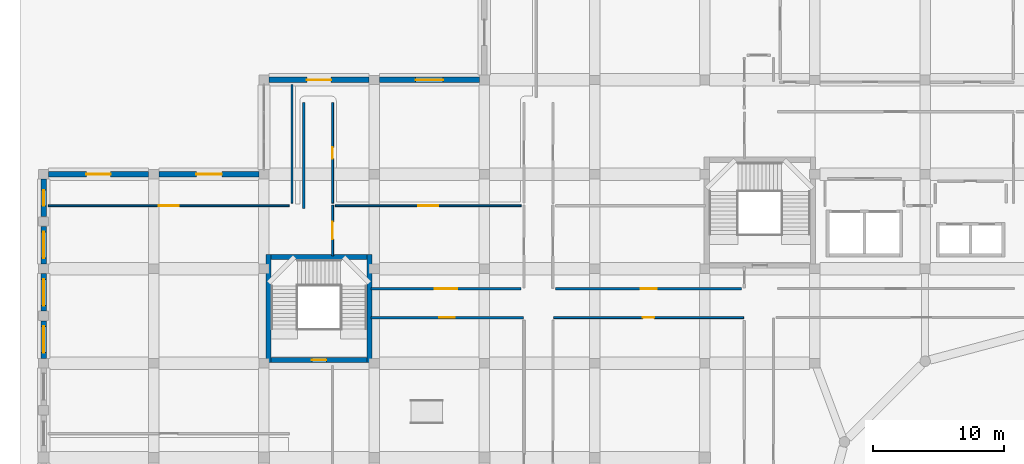
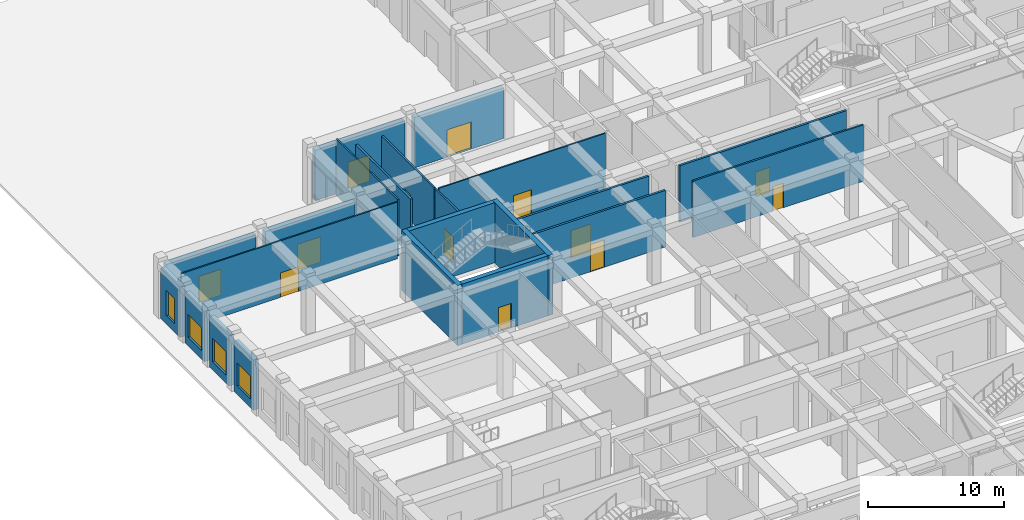
# One storey, part 70 of 84: 22 walls, 13 doors, 4 windows, 17 openings.
"""IFC4 building model written with IfcOpenShell, lengths in metres."""

from ifc_helpers import new_model, si_unit, derived_unit, direction, frame, frame_2d, origin, place, context, subcontext, project, spatial, rectangle, extrude, material, layer, layer_set, type_object, element, fill, save


model = new_model("IFC4")

# Units and contexts
model_context = context("Model", 3, precision=1e-05, world=origin(), true_north=direction((0.0, 1.0)))
body_context = subcontext(model_context, "Body", "Model", "MODEL_VIEW")
ifc_project = project(units=[si_unit("LENGTHUNIT", "METRE"), si_unit("AREAUNIT", "SQUARE_METRE"), si_unit("VOLUMEUNIT", "CUBIC_METRE"), si_unit("PLANEANGLEUNIT", "RADIAN"), si_unit("MASSUNIT", "GRAM", prefix="KILO"), derived_unit("THERMALTRANSMITTANCEUNIT", [(si_unit("POWERUNIT", "WATT"), 1), (si_unit("LENGTHUNIT", "METRE"), -2), (si_unit("THERMODYNAMICTEMPERATUREUNIT", "KELVIN"), -1)])], contexts=[model_context])

# Site, building, storey
site_placement = place(None, origin())
site = spatial("IfcSite", under=ifc_project, at=site_placement, CompositionType="ELEMENT")
building_placement = place(site_placement, origin())
building = spatial("IfcBuilding", under=site, at=building_placement, Name="Veybourne Emporium", CompositionType="ELEMENT")
storey_placement = place(building_placement, origin())
storey = spatial("IfcBuildingStorey", under=building, at=storey_placement, Name="L00", CompositionType="ELEMENT", Elevation=0.0)

# Wall, opening, window
ifc_material_1 = material(Name="Honed Black Granite Plinth", Category="masonry")
ifc_layer_1 = layer(ifc_material_1, 0.419921875)
ifc_layer_set_1 = layer_set([ifc_layer_1], Name="Honed Black Granite Plinth")
wall_type_1 = type_object("IfcWallType", Name="ExtWall_EW-02", PredefinedType="SOLIDWALL", material=ifc_layer_set_1)
wall_1_placement = place(storey_placement, frame((0.0, 65.175048828125, 0.0), z_axis=(0.0, 0.0, 1.0), x_axis=(0.0, 1.0, 0.0)))
wall_1 = element("IfcWall", 1, at=wall_1_placement, inside=storey, type_object=wall_type_1, Name="L00 Portland stone external wall 009A", PredefinedType="SOLIDWALL", context=body_context, shape_type="SweptSolid", body=[
    extrude(rectangle(XDim=2.85498046875, YDim=0.419921875, at=frame_2d((1.427490234375, 0.0))), origin(), (0.0, 0.0, 1.0), 4.530029296875),
])
opening_1_placement = place(wall_1_placement, frame((0.427490234375, 0.0, 0.75)))
opening_1 = element("IfcOpeningElement", 2, at=opening_1_placement, cuts=wall_1, Name="Opening W-14", PredefinedType="OPENING", context=body_context, shape_type="SweptSolid", body=[
    extrude(rectangle(XDim=2.0, YDim=2.080078125, at=frame_2d((1.0, 1.0400390625))), frame((0.0, 0.22998046875, 0.0), z_axis=(0.0, -1.0, 0.0), x_axis=(1.0, 0.0, 0.0)), (0.0, 0.0, 1.0), 0.4599609375),
])
ifc_material_2 = material(Name="Low-E Triple Glazing", Category="glass")
window_type_1 = type_object("IfcWindowType", Name="Win_W-14", PartitioningType="TRIPLE_PANEL_VERTICAL", PredefinedType="WINDOW", material=ifc_material_2)
window_1_placement = place(opening_1_placement, origin())
window_1 = element("IfcWindow", 3, at=window_1_placement, inside=storey, type_object=window_type_1, Name="L00 tripartite bronze casement window W-14 (9A)", OverallHeight=2.080078125, OverallWidth=2.0, PartitioningType="TRIPLE_PANEL_VERTICAL", PredefinedType="WINDOW", context=body_context, shape_type="SweptSolid", body=[
    extrude(rectangle(XDim=2.0, YDim=2.080078125, at=frame_2d((1.0, 1.0400390625))), frame((0.0, 0.030029296875, 0.0), z_axis=(0.0, -1.0, 0.0), x_axis=(1.0, 0.0, 0.0)), (0.0, 0.0, 1.0), 0.06005859375),
])
fill(opening_1, window_1)

wall_2_placement = place(storey_placement, frame((0.0, 68.77001953125, 0.0), z_axis=(0.0, 0.0, 1.0), x_axis=(0.0, 1.0, 0.0)))
wall_2 = element("IfcWall", 4, at=wall_2_placement, inside=storey, type_object=wall_type_1, Name="L00 Portland stone external wall 009B", PredefinedType="SOLIDWALL", context=body_context, shape_type="SweptSolid", body=[
    extrude(rectangle(XDim=2.85498046875, YDim=0.419921875, at=frame_2d((1.427490234375, 0.0))), origin(), (0.0, 0.0, 1.0), 4.530029296875),
])
opening_2_placement = place(wall_2_placement, frame((0.427490234375, 0.0, 0.75)))
opening_2 = element("IfcOpeningElement", 5, at=opening_2_placement, cuts=wall_2, Name="Opening W-15", PredefinedType="OPENING", context=body_context, shape_type="SweptSolid", body=[
    extrude(rectangle(XDim=2.0, YDim=2.080078125, at=frame_2d((1.0, 1.0400390625))), frame((0.0, 0.22998046875, 0.0), z_axis=(0.0, -1.0, 0.0), x_axis=(1.0, 0.0, 0.0)), (0.0, 0.0, 1.0), 0.4599609375),
])
window_type_2 = type_object("IfcWindowType", Name="Win_W-15", PartitioningType="TRIPLE_PANEL_VERTICAL", PredefinedType="WINDOW", material=ifc_material_2)
window_2_placement = place(opening_2_placement, origin())
window_2 = element("IfcWindow", 6, at=window_2_placement, inside=storey, type_object=window_type_2, Name="L00 tripartite bronze casement window W-15 (9B)", OverallHeight=2.080078125, OverallWidth=2.0, PartitioningType="TRIPLE_PANEL_VERTICAL", PredefinedType="WINDOW", context=body_context, shape_type="SweptSolid", body=[
    extrude(rectangle(XDim=2.0, YDim=2.080078125, at=frame_2d((1.0, 1.0400390625))), frame((0.0, 0.030029296875, 0.0), z_axis=(0.0, -1.0, 0.0), x_axis=(1.0, 0.0, 0.0)), (0.0, 0.0, 1.0), 0.06005859375),
])
fill(opening_2, window_2)

# Wall, opening, door
wall_3_placement = place(storey_placement, frame((0.375, 79.199951171875, 0.0), z_axis=(0.0, 0.0, 1.0), x_axis=(1.0, 0.0, 0.0)))
wall_3 = element("IfcWall", 7, at=wall_3_placement, inside=storey, type_object=wall_type_1, Name="Ground street granite plinth entrance wall 010", PredefinedType="SOLIDWALL", context=body_context, shape_type="SweptSolid", body=[
    extrude(rectangle(XDim=7.625, YDim=0.419921875, at=frame_2d((3.8125, 0.0))), origin(), (0.0, 0.0, 1.0), 4.530029296875),
])
opening_3_placement = place(wall_3_placement, frame((2.887451171875, 0.0, 0.0)))
opening_3 = element("IfcOpeningElement", 8, at=opening_3_placement, cuts=wall_3, Name="Opening EX-04", PredefinedType="OPENING", context=body_context, shape_type="SweptSolid", body=[
    extrude(rectangle(XDim=1.85009765625, YDim=2.35009765625, at=frame_2d((0.925048828125, 1.175048828125))), frame((0.0, 0.22998046875, 0.0), z_axis=(0.0, -1.0, 0.0), x_axis=(1.0, 0.0, 0.0)), (0.0, 0.0, 1.0), 0.4599609375),
])
ifc_material_3 = material(Name="Patinated Architectural Bronze", Category="bronze")
door_type_1 = type_object("IfcDoorType", Name="ExitDoor_EX-04", OperationType="DOUBLE_DOOR_SINGLE_SWING", PredefinedType="DOOR", material=ifc_material_3)
door_1_placement = place(opening_3_placement, origin())
door_1 = element("IfcDoor", 9, at=door_1_placement, inside=storey, type_object=door_type_1, Name="Pedestrian final exit door EX-04 #03", OperationType="DOUBLE_DOOR_SINGLE_SWING", OverallHeight=2.35009765625, OverallWidth=1.85009765625, PredefinedType="DOOR", context=body_context, shape_type="SweptSolid", body=[
    extrude(rectangle(XDim=1.85009765625, YDim=2.35009765625, at=frame_2d((0.925048828125, 1.175048828125))), frame((0.0, 0.02490234375, 0.0), z_axis=(0.0, -1.0, 0.0), x_axis=(1.0, 0.0, 0.0)), (0.0, 0.0, 1.0), 0.050048828125),
])
fill(opening_3, door_1)

# Wall, opening, window
wall_4_placement = place(storey_placement, frame((0.0, 72.375, 0.0), z_axis=(0.0, 0.0, 1.0), x_axis=(0.0, 1.0, 0.0)))
wall_4 = element("IfcWall", 10, at=wall_4_placement, inside=storey, type_object=wall_type_1, Name="L00 Portland stone external wall 011A", PredefinedType="SOLIDWALL", context=body_context, shape_type="SweptSolid", body=[
    extrude(rectangle(XDim=2.85498046875, YDim=0.419921875, at=frame_2d((1.427490234375, 0.0))), origin(), (0.0, 0.0, 1.0), 4.530029296875),
])
opening_4_placement = place(wall_4_placement, frame((0.427490234375, 0.0, 0.75)))
opening_4 = element("IfcOpeningElement", 11, at=opening_4_placement, cuts=wall_4, Name="Opening W-16", PredefinedType="OPENING", context=body_context, shape_type="SweptSolid", body=[
    extrude(rectangle(XDim=2.0, YDim=2.080078125, at=frame_2d((1.0, 1.0400390625))), frame((0.0, 0.22998046875, 0.0), z_axis=(0.0, -1.0, 0.0), x_axis=(1.0, 0.0, 0.0)), (0.0, 0.0, 1.0), 0.4599609375),
])
window_type_3 = type_object("IfcWindowType", Name="Win_W-16", PartitioningType="TRIPLE_PANEL_VERTICAL", PredefinedType="WINDOW", material=ifc_material_2)
window_3_placement = place(opening_4_placement, origin())
window_3 = element("IfcWindow", 12, at=window_3_placement, inside=storey, type_object=window_type_3, Name="L00 tripartite bronze casement window W-16 (11A)", OverallHeight=2.080078125, OverallWidth=2.0, PartitioningType="TRIPLE_PANEL_VERTICAL", PredefinedType="WINDOW", context=body_context, shape_type="SweptSolid", body=[
    extrude(rectangle(XDim=2.0, YDim=2.080078125, at=frame_2d((1.0, 1.0400390625))), frame((0.0, 0.030029296875, 0.0), z_axis=(0.0, -1.0, 0.0), x_axis=(1.0, 0.0, 0.0)), (0.0, 0.0, 1.0), 0.06005859375),
])
fill(opening_4, window_3)

wall_5_placement = place(storey_placement, frame((0.0, 75.969970703125, 0.0), z_axis=(0.0, 0.0, 1.0), x_axis=(0.0, 1.0, 0.0)))
wall_5 = element("IfcWall", 13, at=wall_5_placement, inside=storey, type_object=wall_type_1, Name="L00 Portland stone external wall 011B", PredefinedType="SOLIDWALL", context=body_context, shape_type="SweptSolid", body=[
    extrude(rectangle(XDim=2.85498046875, YDim=0.419921875, at=frame_2d((1.427490234375, 0.0))), origin(), (0.0, 0.0, 1.0), 4.530029296875),
])
opening_5_placement = place(wall_5_placement, frame((0.827392578125, 0.0, 0.75)))
opening_5 = element("IfcOpeningElement", 14, at=opening_5_placement, cuts=wall_5, Name="Opening W-17", PredefinedType="OPENING", context=body_context, shape_type="SweptSolid", body=[
    extrude(rectangle(XDim=1.199951171875, YDim=2.260009765625, at=frame_2d((0.60009765625, 1.1298828125))), frame((0.0, 0.22998046875, 0.0), z_axis=(0.0, -1.0, 0.0), x_axis=(1.0, 0.0, 0.0)), (0.0, 0.0, 1.0), 0.4599609375),
])
window_type_4 = type_object("IfcWindowType", Name="Win_W-17", PartitioningType="SINGLE_PANEL", PredefinedType="WINDOW", material=ifc_material_2)
window_4_placement = place(opening_5_placement, origin())
window_4 = element("IfcWindow", 15, at=window_4_placement, inside=storey, type_object=window_type_4, Name="L00 tripartite bronze casement window W-17 (11B)", OverallHeight=2.260009765625, OverallWidth=1.199951171875, PartitioningType="SINGLE_PANEL", PredefinedType="WINDOW", context=body_context, shape_type="SweptSolid", body=[
    extrude(rectangle(XDim=1.199951171875, YDim=2.260009765625, at=frame_2d((0.60009765625, 1.1298828125))), frame((0.0, 0.030029296875, 0.0), z_axis=(0.0, -1.0, 0.0), x_axis=(1.0, 0.0, 0.0)), (0.0, 0.0, 1.0), 0.06005859375),
])
fill(opening_5, window_4)

# Wall, opening, door
wall_6_placement = place(storey_placement, frame((8.800048828125, 79.199951171875, 0.0), z_axis=(0.0, 0.0, 1.0), x_axis=(1.0, 0.0, 0.0)))
wall_6 = element("IfcWall", 16, at=wall_6_placement, inside=storey, type_object=wall_type_1, Name="Ground street granite plinth entrance wall 013", PredefinedType="SOLIDWALL", context=body_context, shape_type="SweptSolid", body=[
    extrude(rectangle(XDim=7.625, YDim=0.419921875, at=frame_2d((3.8125, 0.0))), origin(), (0.0, 0.0, 1.0), 4.530029296875),
])
opening_6_placement = place(wall_6_placement, frame((2.83740234375, 0.0, 0.0)))
opening_6 = element("IfcOpeningElement", 17, at=opening_6_placement, cuts=wall_6, Name="Opening EX-06", PredefinedType="OPENING", context=body_context, shape_type="SweptSolid", body=[
    extrude(rectangle(XDim=1.949951171875, YDim=2.300048828125, at=frame_2d((0.97509765625, 1.14990234375))), frame((0.0, 0.22998046875, 0.0), z_axis=(0.0, -1.0, 0.0), x_axis=(1.0, 0.0, 0.0)), (0.0, 0.0, 1.0), 0.4599609375),
])
door_type_2 = type_object("IfcDoorType", Name="ExitDoor_EX-06", OperationType="DOUBLE_DOOR_SINGLE_SWING", PredefinedType="DOOR", material=ifc_material_3)
door_2_placement = place(opening_6_placement, origin())
door_2 = element("IfcDoor", 18, at=door_2_placement, inside=storey, type_object=door_type_2, Name="Pedestrian final exit door EX-06 #05", OperationType="DOUBLE_DOOR_SINGLE_SWING", OverallHeight=2.300048828125, OverallWidth=1.949951171875, PredefinedType="DOOR", context=body_context, shape_type="SweptSolid", body=[
    extrude(rectangle(XDim=1.949951171875, YDim=2.300048828125, at=frame_2d((0.97509765625, 1.14990234375))), frame((0.0, 0.02490234375, 0.0), z_axis=(0.0, -1.0, 0.0), x_axis=(1.0, 0.0, 0.0)), (0.0, 0.0, 1.0), 0.050048828125),
])
fill(opening_6, door_2)

wall_7_placement = place(storey_placement, frame((17.175048828125, 86.39990234375, 0.0), z_axis=(0.0, 0.0, 1.0), x_axis=(1.0, 0.0, 0.0)))
wall_7 = element("IfcWall", 19, at=wall_7_placement, inside=storey, type_object=wall_type_1, Name="Ground street granite plinth entrance wall 017", PredefinedType="SOLIDWALL", context=body_context, shape_type="SweptSolid", body=[
    extrude(rectangle(XDim=7.625, YDim=0.419921875, at=frame_2d((3.8125, 0.0))), origin(), (0.0, 0.0, 1.0), 4.530029296875),
])
opening_7_placement = place(wall_7_placement, frame((2.887451171875, 0.0, 0.0)))
opening_7 = element("IfcOpeningElement", 20, at=opening_7_placement, cuts=wall_7, Name="Opening EX-04", PredefinedType="OPENING", context=body_context, shape_type="SweptSolid", body=[
    extrude(rectangle(XDim=1.85009765625, YDim=2.35009765625, at=frame_2d((0.925048828125, 1.175048828125))), frame((0.0, 0.22998046875, 0.0), z_axis=(0.0, -1.0, 0.0), x_axis=(1.0, 0.0, 0.0)), (0.0, 0.0, 1.0), 0.4599609375),
])
door_3_placement = place(opening_7_placement, origin())
door_3 = element("IfcDoor", 21, at=door_3_placement, inside=storey, type_object=door_type_1, Name="Pedestrian final exit door EX-04 #09", OperationType="DOUBLE_DOOR_SINGLE_SWING", OverallHeight=2.35009765625, OverallWidth=1.85009765625, PredefinedType="DOOR", context=body_context, shape_type="SweptSolid", body=[
    extrude(rectangle(XDim=1.85009765625, YDim=2.35009765625, at=frame_2d((0.925048828125, 1.175048828125))), frame((0.0, 0.02490234375, 0.0), z_axis=(0.0, -1.0, 0.0), x_axis=(1.0, 0.0, 0.0)), (0.0, 0.0, 1.0), 0.050048828125),
])
fill(opening_7, door_3)

wall_8_placement = place(storey_placement, frame((25.60009765625, 86.39990234375, 0.0), z_axis=(0.0, 0.0, 1.0), x_axis=(1.0, 0.0, 0.0)))
wall_8 = element("IfcWall", 22, at=wall_8_placement, inside=storey, type_object=wall_type_1, Name="Ground street granite plinth entrance wall 020", PredefinedType="SOLIDWALL", context=body_context, shape_type="SweptSolid", body=[
    extrude(rectangle(XDim=7.625, YDim=0.419921875, at=frame_2d((3.8125, 0.0))), origin(), (0.0, 0.0, 1.0), 4.530029296875),
])
opening_8_placement = place(wall_8_placement, frame((2.762451171875, 0.0, 0.0)))
opening_8 = element("IfcOpeningElement", 23, at=opening_8_placement, cuts=wall_8, Name="Opening EX-05", PredefinedType="OPENING", context=body_context, shape_type="SweptSolid", body=[
    extrude(rectangle(XDim=2.10009765625, YDim=2.449951171875, at=frame_2d((1.050048828125, 1.22509765625))), frame((0.0, 0.22998046875, 0.0), z_axis=(0.0, -1.0, 0.0), x_axis=(1.0, 0.0, 0.0)), (0.0, 0.0, 1.0), 0.4599609375),
])
door_type_3 = type_object("IfcDoorType", Name="ExitDoor_EX-05", OperationType="DOUBLE_DOOR_SINGLE_SWING", PredefinedType="DOOR", material=ifc_material_3)
door_4_placement = place(opening_8_placement, origin())
door_4 = element("IfcDoor", 24, at=door_4_placement, inside=storey, type_object=door_type_3, Name="Pedestrian final exit door EX-05 #10", OperationType="DOUBLE_DOOR_SINGLE_SWING", OverallHeight=2.449951171875, OverallWidth=2.10009765625, PredefinedType="DOOR", context=body_context, shape_type="SweptSolid", body=[
    extrude(rectangle(XDim=2.10009765625, YDim=2.449951171875, at=frame_2d((1.050048828125, 1.22509765625))), frame((0.0, 0.02490234375, 0.0), z_axis=(0.0, -1.0, 0.0), x_axis=(1.0, 0.0, 0.0)), (0.0, 0.0, 1.0), 0.050048828125),
])
fill(opening_8, door_4)

ifc_material_4 = material(Name="Concrete C40/50", Category="concrete")
ifc_layer_2 = layer(ifc_material_4, 0.39990234375)
ifc_layer_set_2 = layer_set([ifc_layer_2], Name="Concrete C40/50")
wall_type_2 = type_object("IfcWallType", Name="IntWall_CW-01", PredefinedType="SHEAR", material=ifc_layer_set_2)
wall_9_placement = place(storey_placement, frame((24.64990234375, 65.050048828125, 0.0), z_axis=(0.0, 0.0, 1.0), x_axis=(-1.0, 0.0, 0.0)))
wall_9 = element("IfcWall", 25, at=wall_9_placement, inside=storey, type_object=wall_type_2, Name="Core stair ST-08 south shear wall (L00)", PredefinedType="SHEAR", context=body_context, shape_type="SweptSolid", body=[
    extrude(rectangle(XDim=7.2998046875, YDim=0.39990234375, at=frame_2d((3.64990234375, 0.0))), origin(), (0.0, 0.0, 1.0), 5.39990234375),
])
opening_9_placement = place(wall_9_placement, frame((3.10009765625, 0.0, 0.0)))
opening_9 = element("IfcOpeningElement", 26, at=opening_9_placement, cuts=wall_9, Name="Opening FD-01", PredefinedType="OPENING", context=body_context, shape_type="SweptSolid", body=[
    extrude(rectangle(XDim=1.10009765625, YDim=2.199951171875, at=frame_2d((0.550048828125, 1.10009765625))), frame((0.0, 0.219970703125, 0.0), z_axis=(0.0, -1.0, 0.0), x_axis=(1.0, 0.0, 0.0)), (0.0, 0.0, 1.0), 0.43994140625),
])
door_type_4 = type_object("IfcDoorType", Name="FireDoor_FD-01", OperationType="NOTDEFINED", PredefinedType="DOOR", material=ifc_material_3)
door_5_placement = place(opening_9_placement, origin())
door_5 = element("IfcDoor", 27, at=door_5_placement, inside=storey, type_object=door_type_4, Name="Stair ST-08 fire door (L00)", OperationType="SINGLE_SWING_LEFT", OverallHeight=2.199951171875, OverallWidth=1.10009765625, PredefinedType="DOOR", context=body_context, shape_type="SweptSolid", body=[
    extrude(rectangle(XDim=1.10009765625, YDim=2.199951171875, at=frame_2d((0.550048828125, 1.10009765625))), frame((0.0, 0.02490234375, 0.0), z_axis=(0.0, -1.0, 0.0), x_axis=(1.0, 0.0, 0.0)), (0.0, 0.0, 1.0), 0.050048828125),
])
fill(opening_9, door_5)

# Walls
wall_10_placement = place(storey_placement, frame((17.35009765625, 72.89990234375, 0.0), z_axis=(0.0, 0.0, 1.0), x_axis=(1.0, 0.0, 0.0)))
element("IfcWall", 28, at=wall_10_placement, inside=storey, type_object=wall_type_2, Name="Core stair ST-08 north shear wall (L00)", PredefinedType="SHEAR", context=body_context, shape_type="SweptSolid", body=[
    extrude(rectangle(XDim=7.2998046875, YDim=0.39990234375, at=frame_2d((3.64990234375, 0.0))), origin(), (0.0, 0.0, 1.0), 5.39990234375),
])
for number, where, z_axis, x_axis, name in (
    (29, (17.14990234375, 73.10009765625, 0.0), (0.0, 0.0, 1.0), (0.0, -1.0, 0.0), "Core stair ST-08 west shear wall (L00)"),
    (30, (24.85009765625, 64.85009765625, 0.0), (0.0, 0.0, 1.0), (0.0, 1.0, 0.0), "Core stair ST-08 east shear wall (L00)"),
):
    element("IfcWall", number, at=place(storey_placement, frame(where, z_axis=z_axis, x_axis=x_axis)), inside=storey, type_object=wall_type_2, Name=name, PredefinedType="SHEAR", context=body_context, shape_type="SweptSolid", body=[
        extrude(rectangle(XDim=8.25, YDim=0.39990234375, at=frame_2d((4.125, 0.0))), origin(), (0.0, 0.0, 1.0), 5.39990234375),
    ])

# Wall, opening, door
ifc_material_5 = material(Name="Gypsum Acoustic Board", Category="gypsum")
ifc_layer_3 = layer(ifc_material_5, 0.179931640625)
ifc_layer_set_3 = layer_set([ifc_layer_3], Name="Gypsum Acoustic Board")
wall_type_3 = type_object("IfcWallType", Name="IntWall_IW-01", PredefinedType="PARTITIONING", material=ifc_layer_set_3)
wall_11_placement = place(storey_placement, frame((39.0400390625, 70.47998046875, 0.0), z_axis=(0.0, 0.0, 1.0), x_axis=(1.0, 0.0, 0.0)))
wall_11 = element("IfcWall", 31, at=wall_11_placement, inside=storey, type_object=wall_type_3, Name="L00 interior partition IW-01 #047", PredefinedType="PARTITIONING", context=body_context, shape_type="SweptSolid", body=[
    extrude(rectangle(XDim=14.169921875, YDim=0.179931640625, at=frame_2d((7.0849609375, 0.0))), origin(), (0.0, 0.0, 1.0), 5.080078125),
])
opening_10_placement = place(wall_11_placement, frame((6.485107421875, 0.0, 0.0)))
opening_10 = element("IfcOpeningElement", 32, at=opening_10_placement, cuts=wall_11, Name="Opening D-15", PredefinedType="OPENING", context=body_context, shape_type="SweptSolid", body=[
    extrude(rectangle(XDim=1.199951171875, YDim=2.2099609375, at=frame_2d((0.60009765625, 1.10498046875))), frame((0.0, 0.10986328125, 0.0), z_axis=(0.0, -1.0, 0.0), x_axis=(1.0, 0.0, 0.0)), (0.0, 0.0, 1.0), 0.219970703125),
])
ifc_material_6 = material(Name="European Oak Veneer and Bronze", Category="wood")
door_type_5 = type_object("IfcDoorType", Name="IntDoor_D-15", OperationType="NOTDEFINED", PredefinedType="DOOR", material=ifc_material_6)
door_6_placement = place(opening_10_placement, origin())
door_6 = element("IfcDoor", 33, at=door_6_placement, inside=storey, type_object=door_type_5, Name="L00 interior door D-15 (PART-L00-047)", OperationType="SINGLE_SWING_LEFT", OverallHeight=2.2099609375, OverallWidth=1.199951171875, PredefinedType="DOOR", context=body_context, shape_type="SweptSolid", body=[
    extrude(rectangle(XDim=1.199951171875, YDim=2.2099609375, at=frame_2d((0.60009765625, 1.10498046875))), frame((0.0, 0.02490234375, 0.0), z_axis=(0.0, -1.0, 0.0), x_axis=(1.0, 0.0, 0.0)), (0.0, 0.0, 1.0), 0.050048828125),
])
fill(opening_10, door_6)

wall_12_placement = place(storey_placement, frame((24.93994140625, 68.27001953125, 0.0), z_axis=(0.0, 0.0, 1.0), x_axis=(1.0, 0.0, 0.0)))
wall_12 = element("IfcWall", 34, at=wall_12_placement, inside=storey, type_object=wall_type_3, Name="L00 interior partition IW-01 #065", PredefinedType="PARTITIONING", context=body_context, shape_type="SweptSolid", body=[
    extrude(rectangle(XDim=11.630126953125, YDim=0.179931640625, at=frame_2d((5.81494140625, 0.0))), origin(), (0.0, 0.0, 1.0), 5.080078125),
])
opening_11_placement = place(wall_12_placement, frame((5.215087890625, 0.0, 0.0)))
opening_11 = element("IfcOpeningElement", 35, at=opening_11_placement, cuts=wall_12, Name="Opening D-33", PredefinedType="OPENING", context=body_context, shape_type="SweptSolid", body=[
    extrude(rectangle(XDim=1.199951171875, YDim=2.449951171875, at=frame_2d((0.60009765625, 1.22509765625))), frame((0.0, 0.10986328125, 0.0), z_axis=(0.0, -1.0, 0.0), x_axis=(1.0, 0.0, 0.0)), (0.0, 0.0, 1.0), 0.219970703125),
])
door_type_6 = type_object("IfcDoorType", Name="IntDoor_D-33", OperationType="NOTDEFINED", PredefinedType="DOOR", material=ifc_material_6)
door_7_placement = place(opening_11_placement, frame((1.199951171875, 0.0, 0.0), z_axis=(0.0, 0.0, 1.0), x_axis=(-1.0, 0.0, 0.0)))
door_7 = element("IfcDoor", 36, at=door_7_placement, inside=storey, type_object=door_type_6, Name="L00 interior door D-33 (PART-L00-065)", OperationType="SINGLE_SWING_RIGHT", OverallHeight=2.449951171875, OverallWidth=1.199951171875, PredefinedType="DOOR", context=body_context, shape_type="SweptSolid", body=[
    extrude(rectangle(XDim=1.199951171875, YDim=2.449951171875, at=frame_2d((0.60009765625, 1.22509765625))), frame((0.0, 0.02490234375, 0.0), z_axis=(0.0, -1.0, 0.0), x_axis=(1.0, 0.0, 0.0)), (0.0, 0.0, 1.0), 0.050048828125),
])
fill(opening_11, door_7)

wall_13_placement = place(storey_placement, frame((24.93994140625, 70.47998046875, 0.0), z_axis=(0.0, 0.0, 1.0), x_axis=(1.0, 0.0, 0.0)))
wall_13 = element("IfcWall", 37, at=wall_13_placement, inside=storey, type_object=wall_type_3, Name="L00 interior partition IW-01 #068", PredefinedType="PARTITIONING", context=body_context, shape_type="SweptSolid", body=[
    extrude(rectangle(XDim=11.469970703125, YDim=0.179931640625, at=frame_2d((5.73486328125, 0.0))), origin(), (0.0, 0.0, 1.0), 5.080078125),
])
opening_12_placement = place(wall_13_placement, frame((4.89501953125, 0.0, 0.0)))
opening_12 = element("IfcOpeningElement", 38, at=opening_12_placement, cuts=wall_13, Name="Opening D-36", PredefinedType="OPENING", context=body_context, shape_type="SweptSolid", body=[
    extrude(rectangle(XDim=1.679931640625, YDim=2.449951171875, at=frame_2d((0.83984375, 1.22509765625))), frame((0.0, 0.10986328125, 0.0), z_axis=(0.0, -1.0, 0.0), x_axis=(1.0, 0.0, 0.0)), (0.0, 0.0, 1.0), 0.219970703125),
])
door_type_7 = type_object("IfcDoorType", Name="IntDoor_D-36", OperationType="DOUBLE_DOOR_SINGLE_SWING", PredefinedType="DOOR", material=ifc_material_6)
door_8_placement = place(opening_12_placement, origin())
door_8 = element("IfcDoor", 39, at=door_8_placement, inside=storey, type_object=door_type_7, Name="L00 interior door D-36 (PART-L00-068)", OperationType="DOUBLE_DOOR_SINGLE_SWING", OverallHeight=2.449951171875, OverallWidth=1.679931640625, PredefinedType="DOOR", context=body_context, shape_type="SweptSolid", body=[
    extrude(rectangle(XDim=1.679931640625, YDim=2.449951171875, at=frame_2d((0.83984375, 1.22509765625))), frame((0.0, 0.02490234375, 0.0), z_axis=(0.0, -1.0, 0.0), x_axis=(1.0, 0.0, 0.0)), (0.0, 0.0, 1.0), 0.050048828125),
])
fill(opening_12, door_8)

# Wall
wall_14_placement = place(storey_placement, frame((19.820068359375, 76.590087890625, 0.0), z_axis=(0.0, 0.0, 1.0), x_axis=(0.0, 1.0, 0.0)))
element("IfcWall", 40, at=wall_14_placement, inside=storey, type_object=wall_type_3, Name="L00 interior partition IW-01 #089", PredefinedType="PARTITIONING", context=body_context, shape_type="SweptSolid", body=[
    extrude(rectangle(XDim=8.079833984375, YDim=0.179931640625, at=frame_2d((4.0400390625, 0.0))), origin(), (0.0, 0.0, 1.0), 5.080078125),
])

# Wall, opening, door
ifc_layer_4 = layer(ifc_material_5, 0.14990234375)
ifc_layer_set_4 = layer_set([ifc_layer_4], Name="Gypsum Acoustic Board")
wall_type_4 = type_object("IfcWallType", Name="IntWall_IW-02", PredefinedType="PARTITIONING", material=ifc_layer_set_4)
wall_15_placement = place(storey_placement, frame((38.8798828125, 68.27001953125, 0.0), z_axis=(0.0, 0.0, 1.0), x_axis=(1.0, 0.0, 0.0)))
wall_15 = element("IfcWall", 41, at=wall_15_placement, inside=storey, type_object=wall_type_4, Name="L00 interior partition IW-02 #045", PredefinedType="PARTITIONING", context=body_context, shape_type="SweptSolid", body=[
    extrude(rectangle(XDim=14.490234375, YDim=0.14990234375, at=frame_2d((7.2451171875, 0.0))), origin(), (0.0, 0.0, 1.0), 5.080078125),
])
opening_13_placement = place(wall_15_placement, frame((6.804931640625, 0.0, 0.0)))
opening_13 = element("IfcOpeningElement", 42, at=opening_13_placement, cuts=wall_15, Name="Opening D-13", PredefinedType="OPENING", context=body_context, shape_type="SweptSolid", body=[
    extrude(rectangle(XDim=0.8798828125, YDim=2.2099609375, at=frame_2d((0.43994140625, 1.10498046875))), frame((0.0, 0.094970703125, 0.0), z_axis=(0.0, -1.0, 0.0), x_axis=(1.0, 0.0, 0.0)), (0.0, 0.0, 1.0), 0.18994140625),
])
door_type_8 = type_object("IfcDoorType", Name="IntDoor_D-13", OperationType="NOTDEFINED", PredefinedType="DOOR", material=ifc_material_6)
door_9_placement = place(opening_13_placement, frame((0.8798828125, 0.0, 0.0), z_axis=(0.0, 0.0, 1.0), x_axis=(-1.0, 0.0, 0.0)))
door_9 = element("IfcDoor", 43, at=door_9_placement, inside=storey, type_object=door_type_8, Name="L00 interior door D-13 (PART-L00-045)", OperationType="SINGLE_SWING_LEFT", OverallHeight=2.2099609375, OverallWidth=0.8798828125, PredefinedType="DOOR", context=body_context, shape_type="SweptSolid", body=[
    extrude(rectangle(XDim=0.8798828125, YDim=2.2099609375, at=frame_2d((0.43994140625, 1.10498046875))), frame((0.0, 0.02490234375, 0.0), z_axis=(0.0, -1.0, 0.0), x_axis=(1.0, 0.0, 0.0)), (0.0, 0.0, 1.0), 0.050048828125),
])
fill(opening_13, door_9)

wall_16_placement = place(storey_placement, frame((22.030029296875, 77.010009765625, 0.0), z_axis=(0.0, 0.0, 1.0), x_axis=(0.0, 1.0, 0.0)))
wall_16 = element("IfcWall", 44, at=wall_16_placement, inside=storey, type_object=wall_type_4, Name="L00 interior partition IW-02 #093", PredefinedType="PARTITIONING", context=body_context, shape_type="SweptSolid", body=[
    extrude(rectangle(XDim=7.659912109375, YDim=0.14990234375, at=frame_2d((3.830078125, 0.0))), origin(), (0.0, 0.0, 1.0), 5.080078125),
])
opening_14_placement = place(wall_16_placement, frame((3.389892578125, 0.0, 0.0)))
opening_14 = element("IfcOpeningElement", 45, at=opening_14_placement, cuts=wall_16, Name="Opening D-25", PredefinedType="OPENING", context=body_context, shape_type="SweptSolid", body=[
    extrude(rectangle(XDim=0.8798828125, YDim=2.3701171875, at=frame_2d((0.43994140625, 1.18505859375))), frame((0.0, 0.094970703125, 0.0), z_axis=(0.0, -1.0, 0.0), x_axis=(1.0, 0.0, 0.0)), (0.0, 0.0, 1.0), 0.18994140625),
])
door_type_9 = type_object("IfcDoorType", Name="IntDoor_D-25", OperationType="NOTDEFINED", PredefinedType="DOOR", material=ifc_material_6)
door_10_placement = place(opening_14_placement, frame((0.8798828125, 0.0, 0.0), z_axis=(0.0, 0.0, 1.0), x_axis=(-1.0, 0.0, 0.0)))
door_10 = element("IfcDoor", 46, at=door_10_placement, inside=storey, type_object=door_type_9, Name="L00 interior door D-25 (PART-L00-093)", OperationType="SINGLE_SWING_LEFT", OverallHeight=2.3701171875, OverallWidth=0.8798828125, PredefinedType="DOOR", context=body_context, shape_type="SweptSolid", body=[
    extrude(rectangle(XDim=0.8798828125, YDim=2.3701171875, at=frame_2d((0.43994140625, 1.18505859375))), frame((0.0, 0.02490234375, 0.0), z_axis=(0.0, -1.0, 0.0), x_axis=(1.0, 0.0, 0.0)), (0.0, 0.0, 1.0), 0.050048828125),
])
fill(opening_14, door_10)

wall_17_placement = place(storey_placement, frame((22.030029296875, 72.989990234375, 0.0), z_axis=(0.0, 0.0, 1.0), x_axis=(0.0, 1.0, 0.0)))
wall_17 = element("IfcWall", 47, at=wall_17_placement, inside=storey, type_object=wall_type_4, Name="L00 interior partition IW-02 #126", PredefinedType="PARTITIONING", context=body_context, shape_type="SweptSolid", body=[
    extrude(rectangle(XDim=3.860107421875, YDim=0.14990234375, at=frame_2d((1.93017578125, 0.0))), origin(), (0.0, 0.0, 1.0), 5.080078125),
])
opening_15_placement = place(wall_17_placement, frame((1.25, 0.0, 0.0)))
opening_15 = element("IfcOpeningElement", 48, at=opening_15_placement, cuts=wall_17, Name="Opening D-22", PredefinedType="OPENING", context=body_context, shape_type="SweptSolid", body=[
    extrude(rectangle(XDim=1.360107421875, YDim=2.2900390625, at=frame_2d((0.68017578125, 1.14501953125))), frame((0.0, 0.094970703125, 0.0), z_axis=(0.0, -1.0, 0.0), x_axis=(1.0, 0.0, 0.0)), (0.0, 0.0, 1.0), 0.18994140625),
])
door_type_10 = type_object("IfcDoorType", Name="IntDoor_D-22", OperationType="NOTDEFINED", PredefinedType="DOOR", material=ifc_material_6)
door_11_placement = place(opening_15_placement, frame((1.360107421875, 0.0, 0.0), z_axis=(0.0, 0.0, 1.0), x_axis=(-1.0, 0.0, 0.0)))
door_11 = element("IfcDoor", 49, at=door_11_placement, inside=storey, type_object=door_type_10, Name="L00 interior door D-22 (PART-L00-126)", OperationType="SINGLE_SWING_RIGHT", OverallHeight=2.2900390625, OverallWidth=1.360107421875, PredefinedType="DOOR", context=body_context, shape_type="SweptSolid", body=[
    extrude(rectangle(XDim=1.360107421875, YDim=2.2900390625, at=frame_2d((0.68017578125, 1.14501953125))), frame((0.0, 0.02490234375, 0.0), z_axis=(0.0, -1.0, 0.0), x_axis=(1.0, 0.0, 0.0)), (0.0, 0.0, 1.0), 0.050048828125),
])
fill(opening_15, door_11)

ifc_layer_5 = layer(ifc_material_5, 0.1201171875)
ifc_layer_set_5 = layer_set([ifc_layer_5], Name="Gypsum Acoustic Board")
wall_type_5 = type_object("IfcWallType", Name="IntWall_IW-03", PredefinedType="PARTITIONING", material=ifc_layer_set_5)
wall_18_placement = place(storey_placement, frame((0.3701171875, 76.800048828125, 0.0), z_axis=(0.0, 0.0, 1.0), x_axis=(1.0, 0.0, 0.0)))
wall_18 = element("IfcWall", 50, at=wall_18_placement, inside=storey, type_object=wall_type_5, Name="L00 interior partition IW-03 #013", PredefinedType="PARTITIONING", context=body_context, shape_type="SweptSolid", body=[
    extrude(rectangle(XDim=18.352783203125, YDim=0.1201171875, at=frame_2d((9.17626953125, 0.0))), origin(), (0.0, 0.0, 1.0), 5.080078125),
])
opening_16_placement = place(wall_18_placement, frame((8.41650390625, 0.0, 0.0)))
opening_16 = element("IfcOpeningElement", 51, at=opening_16_placement, cuts=wall_18, Name="Opening D-17", PredefinedType="OPENING", context=body_context, shape_type="SweptSolid", body=[
    extrude(rectangle(XDim=1.52001953125, YDim=2.2099609375, at=frame_2d((0.760009765625, 1.10498046875))), frame((0.0, 0.080078125, 0.0), z_axis=(0.0, -1.0, 0.0), x_axis=(1.0, 0.0, 0.0)), (0.0, 0.0, 1.0), 0.16015625),
])
door_type_11 = type_object("IfcDoorType", Name="IntDoor_D-17", OperationType="NOTDEFINED", PredefinedType="DOOR", material=ifc_material_6)
door_12_placement = place(opening_16_placement, origin())
door_12 = element("IfcDoor", 52, at=door_12_placement, inside=storey, type_object=door_type_11, Name="L00 interior door D-17 (PART-L00-013)", OperationType="SINGLE_SWING_LEFT", OverallHeight=2.2099609375, OverallWidth=1.52001953125, PredefinedType="DOOR", context=body_context, shape_type="SweptSolid", body=[
    extrude(rectangle(XDim=1.52001953125, YDim=2.2099609375, at=frame_2d((0.760009765625, 1.10498046875))), frame((0.0, 0.02490234375, 0.0), z_axis=(0.0, -1.0, 0.0), x_axis=(1.0, 0.0, 0.0)), (0.0, 0.0, 1.0), 0.050048828125),
])
fill(opening_16, door_12)

wall_19_placement = place(storey_placement, frame((22.239990234375, 76.800048828125, 0.0), z_axis=(0.0, 0.0, 1.0), x_axis=(1.0, 0.0, 0.0)))
wall_19 = element("IfcWall", 53, at=wall_19_placement, inside=storey, type_object=wall_type_5, Name="L00 interior partition IW-03 #049", PredefinedType="PARTITIONING", context=body_context, shape_type="SweptSolid", body=[
    extrude(rectangle(XDim=14.169921875, YDim=0.1201171875, at=frame_2d((7.0849609375, 0.0))), origin(), (0.0, 0.0, 1.0), 5.080078125),
])
opening_17_placement = place(wall_19_placement, frame((6.324951171875, 0.0, 0.0)))
opening_17 = element("IfcOpeningElement", 54, at=opening_17_placement, cuts=wall_19, Name="Opening D-17", PredefinedType="OPENING", context=body_context, shape_type="SweptSolid", body=[
    extrude(rectangle(XDim=1.52001953125, YDim=2.2099609375, at=frame_2d((0.760009765625, 1.10498046875))), frame((0.0, 0.080078125, 0.0), z_axis=(0.0, -1.0, 0.0), x_axis=(1.0, 0.0, 0.0)), (0.0, 0.0, 1.0), 0.16015625),
])
door_13_placement = place(opening_17_placement, origin())
door_13 = element("IfcDoor", 55, at=door_13_placement, inside=storey, type_object=door_type_11, Name="L00 interior door D-17 (PART-L00-049)", OperationType="SINGLE_SWING_LEFT", OverallHeight=2.2099609375, OverallWidth=1.52001953125, PredefinedType="DOOR", context=body_context, shape_type="SweptSolid", body=[
    extrude(rectangle(XDim=1.52001953125, YDim=2.2099609375, at=frame_2d((0.760009765625, 1.10498046875))), frame((0.0, 0.02490234375, 0.0), z_axis=(0.0, -1.0, 0.0), x_axis=(1.0, 0.0, 0.0)), (0.0, 0.0, 1.0), 0.050048828125),
])
fill(opening_17, door_13)

# Wall
wall_20_placement = place(storey_placement, frame((18.93310546875, 77.010009765625, 0.0), z_axis=(0.0, 0.0, 1.0), x_axis=(0.0, 1.0, 0.0)))
element("IfcWall", 56, at=wall_20_placement, inside=storey, type_object=wall_type_5, Name="L00 interior partition IW-03 #088", PredefinedType="PARTITIONING", context=body_context, shape_type="SweptSolid", body=[
    extrude(rectangle(XDim=9.02001953125, YDim=0.1201171875, at=frame_2d((4.510009765625, 0.0))), origin(), (0.0, 0.0, 1.0), 5.080078125),
])

save(model, "model.ifc")
